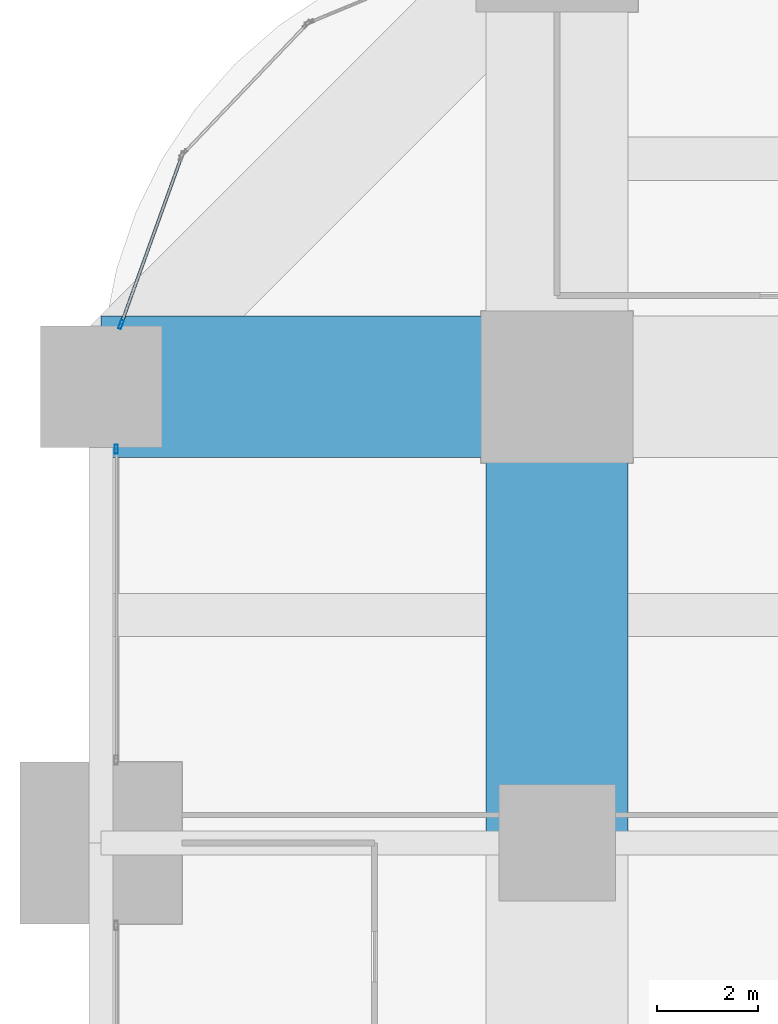
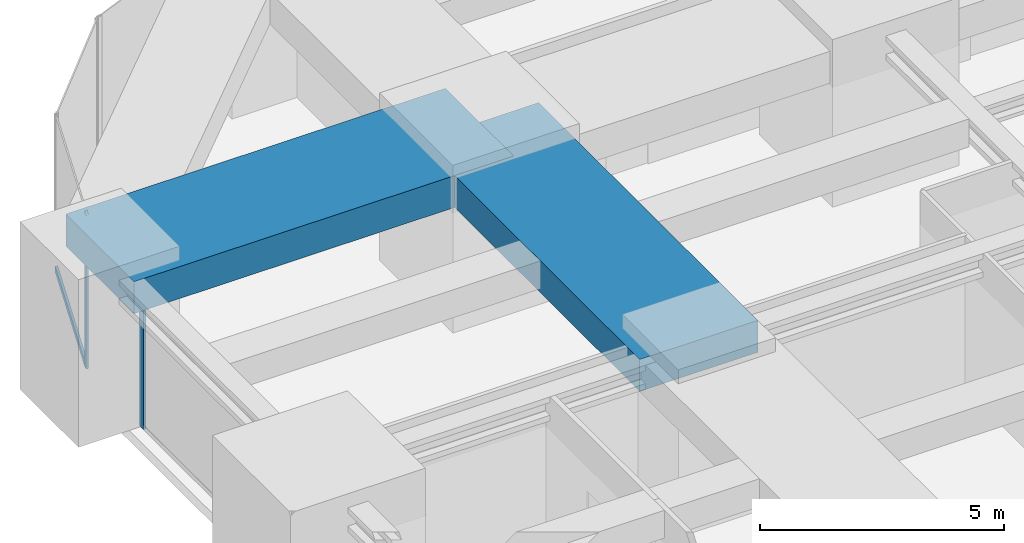
# One storey, part 24 of 42: 3 members, 2 beams, 2 elements without a shape of their own.
"""IFC4 building model written with IfcOpenShell, lengths in metres."""

from ifc_helpers import new_model, si_unit, direction, frame, origin, origin_2d, place, context, subcontext, project, spatial, rectangle, hollow_rectangle, extrude, material, material_profile, profile_set, type_object, element, aggregate, save


model = new_model("IFC4")

# Units and contexts
model_context = context("Model", 3, precision=1e-05, world=origin(), true_north=direction((0.0, 1.0)))
body_context = subcontext(model_context, "Body", "Model", "MODEL_VIEW")
ifc_project = project(units=[si_unit("LENGTHUNIT", "METRE"), si_unit("AREAUNIT", "SQUARE_METRE"), si_unit("VOLUMEUNIT", "CUBIC_METRE"), si_unit("PLANEANGLEUNIT", "RADIAN"), si_unit("MASSUNIT", "GRAM", prefix="KILO")], contexts=[model_context])

# Site, building, storey
site_placement = place(None, origin())
site = spatial("IfcSite", under=ifc_project, at=site_placement, CompositionType="ELEMENT")
building_placement = place(site_placement, origin())
building = spatial("IfcBuilding", under=site, at=building_placement, Name="Zorevar Civic Tower", CompositionType="ELEMENT")
storey_placement = place(building_placement, frame((0.0, 0.0, 75.800048828125)))
storey = spatial("IfcBuildingStorey", under=building, at=storey_placement, Name="L18", CompositionType="ELEMENT", Elevation=75.800048828125)

# Beams
ifc_material_1 = material(Name="Concrete C50/60", Category="concrete")
ifc_material_profile_1 = material_profile(ifc_material_1, rectangle(XDim=2.800048828125, YDim=0.800048828125, at=origin_2d()), Name="RC 2800x800")
ifc_profile_set_1 = profile_set([ifc_material_profile_1], Name="Concrete C50/60")
beam_type = type_object("IfcBeamType", Name="Beam RC 2800x800", PredefinedType="BEAM", material=ifc_profile_set_1)
for number, where, z_axis, x_axis, name in (
    (1, (0.0, 45.0, 3.449951171875), (1.0, 0.0, 0.0), (0.0, 1.0, 0.0), "Girder L19"),
    (2, (9.0, 36.0, 3.449951171875), (0.0, 1.0, 0.0), (-1.0, 0.0, 0.0), "Girder L19"),
):
    element("IfcBeam", number, at=place(storey_placement, frame(where, z_axis=z_axis, x_axis=x_axis)), inside=storey, type_object=beam_type, Name=name, PredefinedType="BEAM", context=body_context, shape_type="SweptSolid", body=[
        extrude(rectangle(XDim=2.800048828125, YDim=0.800048828125, at=origin_2d()), origin(), (0.0, 0.0, 1.0), 9.0),
    ])

# Curtain wall, member
ifc_material_2 = material(Name="Dark grey solar-control glass in black aluminium frame", Category="aluminium")
curtain_wall_type = type_object("IfcCurtainWallType", Name="Curtain wall CW2 low zone", PredefinedType="NOTDEFINED", material=ifc_material_2)
curtain_wall_1_placement = place(storey_placement, origin())
curtain_wall_1 = element("IfcCurtainWall", 3, at=curtain_wall_1_placement, inside=storey, type_object=curtain_wall_type, Name="CW2 L18", PredefinedType="NOTDEFINED")
ifc_material_3 = material(Name="Aluminium, black anodised", Category="aluminium")
ifc_material_profile_2 = material_profile(ifc_material_3, hollow_rectangle(XDim=0.06005859375, YDim=0.179931640625, WallThickness=0.00390625, at=origin_2d()), Name="AL 180x60x4")
ifc_profile_set_2 = profile_set([ifc_material_profile_2], Name="Aluminium, black anodised")
member_type_1 = type_object("IfcMemberType", Name="CW2 mullion AL 180x60x4", PredefinedType="MULLION", material=ifc_profile_set_2)
member_1_placement = place(storey_placement, frame((0.300048828125, 43.77001953125, 0.0), z_axis=(0.0, 0.0, 1.0), x_axis=(-1.0, 0.0, 0.0)))
member_1 = element("IfcMember", 4, at=member_1_placement, type_object=member_type_1, Name="CW2 mullion 2", PredefinedType="MULLION", context=body_context, shape_type="SweptSolid", body=[
    extrude(hollow_rectangle(XDim=0.06005859375, YDim=0.179931640625, WallThickness=0.00390625, at=origin_2d()), origin(), (0.0, 0.0, 1.0), 3.050048828125),
])
aggregate(curtain_wall_1, [member_1])

# Curtain wall, members
curtain_wall_2_placement = place(storey_placement, origin())
curtain_wall_2 = element("IfcCurtainWall", 5, at=curtain_wall_2_placement, inside=storey, type_object=curtain_wall_type, Name="CW2 L18", PredefinedType="NOTDEFINED")
member_2_placement = place(storey_placement, frame((0.393310546875, 46.228271484375, 0.0), z_axis=(0.0, 0.0, 1.0), x_axis=(0.940636829761, -0.339414723454, 0.0)))
member_2 = element("IfcMember", 6, at=member_2_placement, type_object=member_type_1, Name="CW2 mullion 2", PredefinedType="MULLION", context=body_context, shape_type="SweptSolid", body=[
    extrude(hollow_rectangle(XDim=0.06005859375, YDim=0.179931640625, WallThickness=0.00390625, at=origin_2d()), origin(), (0.0, 0.0, 1.0), 3.849853515625),
])
ifc_material_4 = material(Name="Aluminium, black anodised", Category="aluminium")
ifc_material_profile_3 = material_profile(ifc_material_4, hollow_rectangle(XDim=0.06005859375, YDim=0.14990234375, WallThickness=0.00390625, at=origin_2d()), Name="AL 150x60x4")
ifc_profile_set_3 = profile_set([ifc_material_profile_3], Name="Aluminium, black anodised")
member_type_2 = type_object("IfcMemberType", Name="CW2 transom AL 150x60x4", PredefinedType="USERDEFINED", material=ifc_profile_set_3)
member_3_placement = place(storey_placement, frame((1.581787109375, 49.52197265625, 0.030029296875), z_axis=(-0.339381781019, -0.940648715894, 0.0), x_axis=(0.940648715894, -0.339381781019, 0.0)))
member_3 = element("IfcMember", 7, at=member_3_placement, type_object=member_type_2, Name="CW2 sill transom", ObjectType="TRANSOM", PredefinedType="USERDEFINED", context=body_context, shape_type="SweptSolid", body=[
    extrude(hollow_rectangle(XDim=0.06005859375, YDim=0.14990234375, WallThickness=0.00390625, at=origin_2d()), origin(), (0.0, 0.0, 1.0), 3.4716796875),
])
aggregate(curtain_wall_2, [member_2, member_3])

save(model, "model.ifc")
